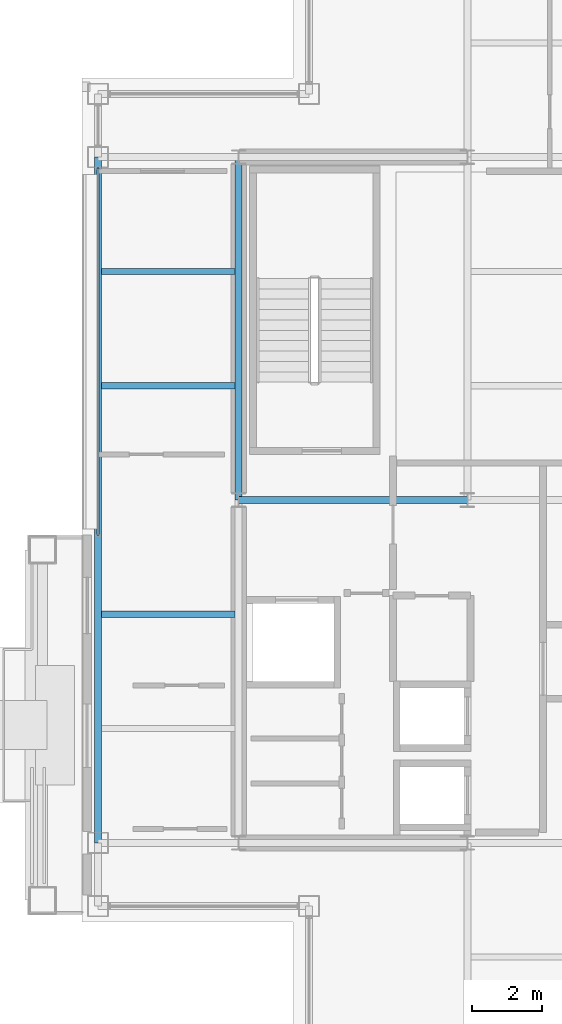
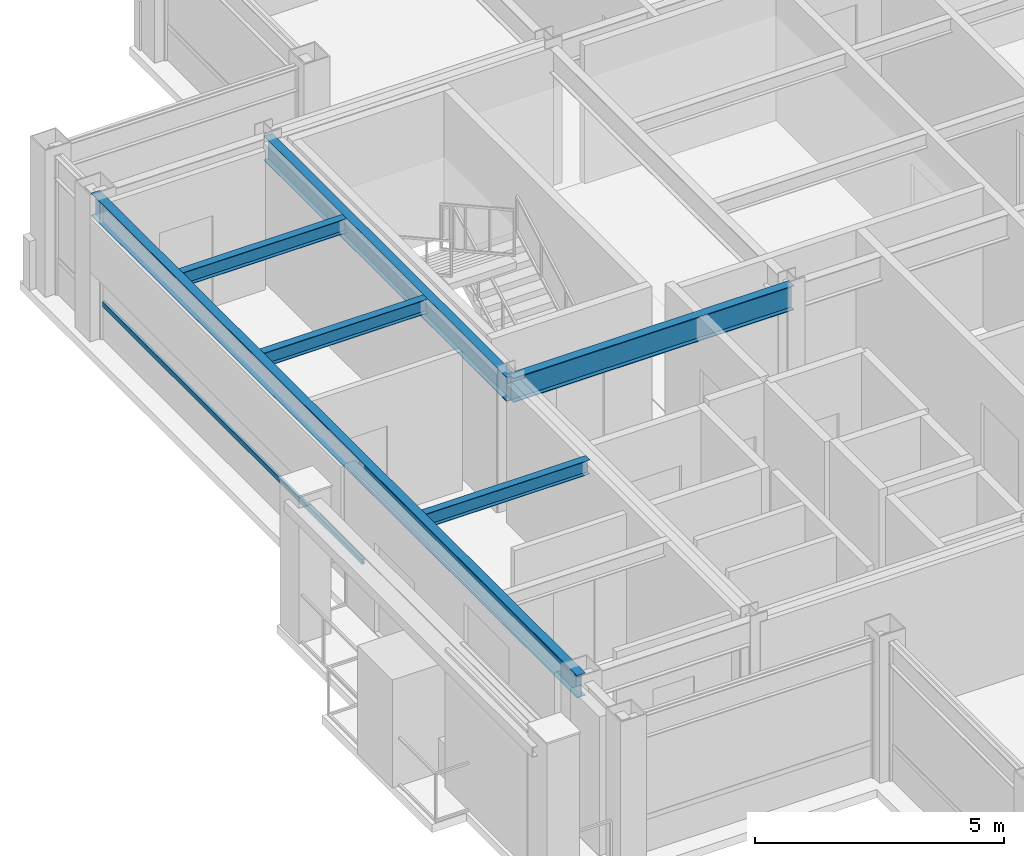
# One storey, part 11 of 28: 6 beams, 1 member, 1 element without a shape of its own.
"""IFC4 building model written with IfcOpenShell, lengths in metres."""

from ifc_helpers import new_model, si_unit, direction, frame, origin, origin_2d, place, context, subcontext, project, spatial, hollow_rectangle, i_section, extrude, material, layer, layer_set, material_profile, profile_set, type_object, element, aggregate, save


model = new_model("IFC4")

# Units and contexts
model_context = context("Model", 3, precision=1e-05, world=origin(), true_north=direction((0.0, 1.0)))
body_context = subcontext(model_context, "Body", "Model", "MODEL_VIEW")
ifc_project = project(units=[si_unit("LENGTHUNIT", "METRE"), si_unit("AREAUNIT", "SQUARE_METRE"), si_unit("VOLUMEUNIT", "CUBIC_METRE"), si_unit("PLANEANGLEUNIT", "RADIAN"), si_unit("MASSUNIT", "GRAM", prefix="KILO")], contexts=[model_context])

# Site, building, storey
site_placement = place(None, origin())
site = spatial("IfcSite", under=ifc_project, at=site_placement, CompositionType="ELEMENT")
building_placement = place(site_placement, origin())
building = spatial("IfcBuilding", under=site, at=building_placement, Name="Brelmoor Portico Tower", CompositionType="ELEMENT")
storey_placement = place(building_placement, frame((0.0, 0.0, 265.199951171875)))
storey = spatial("IfcBuildingStorey", under=building, at=storey_placement, Name="L70", CompositionType="ELEMENT", Elevation=265.199951171875)

# Beams
ifc_material_1 = material(Name="Steel Q355B", Category="steel")
ifc_material_profile_1 = material_profile(ifc_material_1, i_section(OverallWidth=0.175048828125, OverallDepth=0.35009765625, WebThickness=0.007080078125, FlangeThickness=0.010986328125, at=origin_2d()), Name="HN 350x175x7x11")
ifc_profile_set_1 = profile_set([ifc_material_profile_1], Name="Steel Q355B")
beam_type_1 = type_object("IfcBeamType", Name="BM-JS-350", PredefinedType="JOIST", material=ifc_profile_set_1)
for number, where, z_axis, x_axis, name in (
    (1, (-18.449951171875, -3.25, 3.22509765625), (1.0, 0.0, 0.0), (0.0, 1.0, 0.0), "L70 Secondary Wing Joist JS-W08"),
    (2, (-18.449951171875, 3.25, 3.22509765625), (1.0, 0.0, 0.0), (0.0, 1.0, 0.0), "L70 Secondary Wing Joist JS-W09"),
    (3, (-18.449951171875, 6.5, 3.22509765625), (1.0, 0.0, 0.0), (0.0, 1.0, 0.0), "L70 Secondary Wing Joist JS-W10"),
):
    element("IfcBeam", number, at=place(storey_placement, frame(where, z_axis=z_axis, x_axis=x_axis)), inside=storey, type_object=beam_type_1, Name=name, PredefinedType="JOIST", context=body_context, shape_type="SweptSolid", body=[
        extrude(i_section(OverallWidth=0.175048828125, OverallDepth=0.35009765625, WebThickness=0.007080078125, FlangeThickness=0.010986328125, at=origin_2d()), origin(), (0.0, 0.0, 1.0), 3.800048828125),
    ])
ifc_material_profile_2 = material_profile(ifc_material_1, i_section(OverallWidth=0.199951171875, OverallDepth=0.60009765625, WebThickness=0.010986328125, FlangeThickness=0.01708984375, at=origin_2d()), Name="HN 600x200x11x17")
ifc_profile_set_2 = profile_set([ifc_material_profile_2], Name="Steel Q355B")
beam_type_2 = type_object("IfcBeamType", Name="BM-PG-600", PredefinedType="BEAM", material=ifc_profile_set_2)
beam_1_placement = place(storey_placement, frame((-14.550048828125, 0.0, 3.10009765625), z_axis=(0.0, 1.0, 0.0), x_axis=(-1.0, 0.0, 0.0)))
element("IfcBeam", 4, at=beam_1_placement, inside=storey, type_object=beam_type_2, Name="L70 Primary Floor Girder PG-02", PredefinedType="BEAM", context=body_context, shape_type="SweptSolid", body=[
    extrude(i_section(OverallWidth=0.199951171875, OverallDepth=0.60009765625, WebThickness=0.010986328125, FlangeThickness=0.01708984375, at=origin_2d()), origin(), (0.0, 0.0, 1.0), 9.75),
])
beam_2_placement = place(storey_placement, frame((-14.550048828125, 0.0, 3.10009765625), z_axis=(1.0, 0.0, 0.0), x_axis=(0.0, 1.0, 0.0)))
element("IfcBeam", 5, at=beam_2_placement, inside=storey, type_object=beam_type_2, Name="L70 Primary Floor Girder PG-16", PredefinedType="BEAM", context=body_context, shape_type="SweptSolid", body=[
    extrude(i_section(OverallWidth=0.199951171875, OverallDepth=0.60009765625, WebThickness=0.010986328125, FlangeThickness=0.01708984375, at=origin_2d()), origin(), (0.0, 0.0, 1.0), 6.5),
])
ifc_material_profile_3 = material_profile(ifc_material_1, i_section(OverallWidth=0.199951171875, OverallDepth=0.550048828125, WebThickness=0.010009765625, FlangeThickness=0.01611328125, at=origin_2d()), Name="HN 550x200x10x16")
ifc_profile_set_3 = profile_set([ifc_material_profile_3], Name="Steel Q355B")
beam_type_3 = type_object("IfcBeamType", Name="BM-SP-550", PredefinedType="SPANDREL", material=ifc_profile_set_3)
beam_3_placement = place(storey_placement, frame((-18.550048828125, -9.75, 3.125), z_axis=(0.0, 1.0, 0.0), x_axis=(-1.0, 0.0, 0.0)))
element("IfcBeam", 6, at=beam_3_placement, inside=storey, type_object=beam_type_3, Name="L70 Perimeter Spandrel Beam SP-12", PredefinedType="SPANDREL", context=body_context, shape_type="SweptSolid", body=[
    extrude(i_section(OverallWidth=0.199951171875, OverallDepth=0.550048828125, WebThickness=0.010009765625, FlangeThickness=0.01611328125, at=origin_2d()), origin(), (0.0, 0.0, 1.0), 19.5),
])

# Curtain wall, member
ifc_material_2 = material(Name="Anodised Aluminium Alloy 6063-T6", Category="aluminium")
ifc_layer = layer(ifc_material_2, 0.179931640625)
ifc_layer_set = layer_set([ifc_layer], Name="Anodised Aluminium Alloy 6063-T6")
curtain_wall_type = type_object("IfcCurtainWallType", Name="CW-TOWER-Z4", PredefinedType="NOTDEFINED", material=ifc_layer_set)
curtain_wall_placement = place(storey_placement, origin())
curtain_wall = element("IfcCurtainWall", 7, at=curtain_wall_placement, inside=storey, type_object=curtain_wall_type, Name="L70 Curtain Wall CW-L70-3R-1", PredefinedType="NOTDEFINED")
ifc_material_profile_4 = material_profile(ifc_material_2, hollow_rectangle(XDim=0.06005859375, YDim=0.125, WallThickness=0.00341796875, at=origin_2d()), Name="ALU TRANSOM 60x125")
ifc_profile_set_4 = profile_set([ifc_material_profile_4], Name="Anodised Aluminium Alloy 6063-T6")
member_type = type_object("IfcMemberType", Name="MB-CW-TRAN-125", PredefinedType="USERDEFINED", material=ifc_profile_set_4)
member_placement = place(storey_placement, frame((-18.550048828125, -1.0, 0.85009765625), z_axis=(0.0, 1.0, 0.0), x_axis=(-1.0, 0.0, 0.0)))
member = element("IfcMember", 8, at=member_placement, type_object=member_type, Name="CW-L70-3R-1 Transom 1-00", ObjectType="TRANSOM", PredefinedType="USERDEFINED", context=body_context, shape_type="SweptSolid", body=[
    extrude(hollow_rectangle(XDim=0.06005859375, YDim=0.125, WallThickness=0.00341796875, at=origin_2d()), origin(), (0.0, 0.0, 1.0), 10.43994140625),
])
aggregate(curtain_wall, [member])

save(model, "model.ifc")
